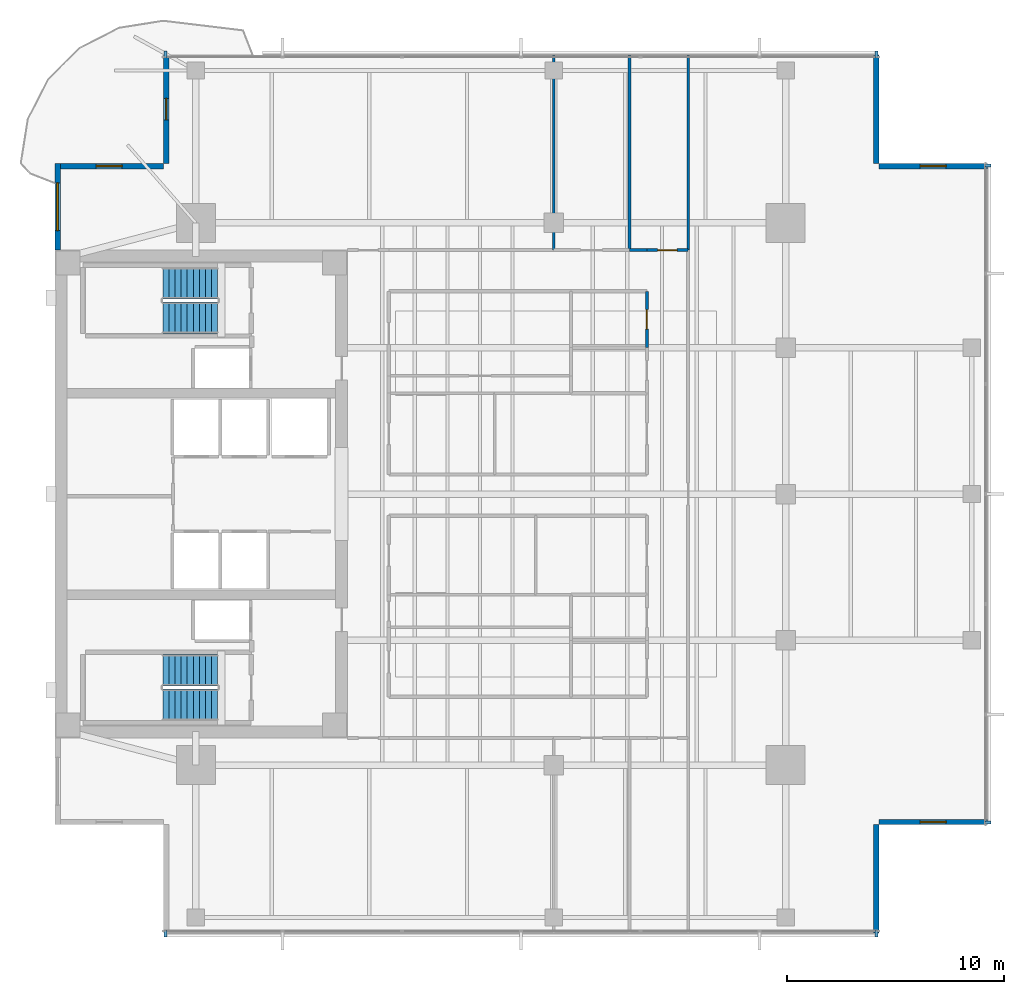
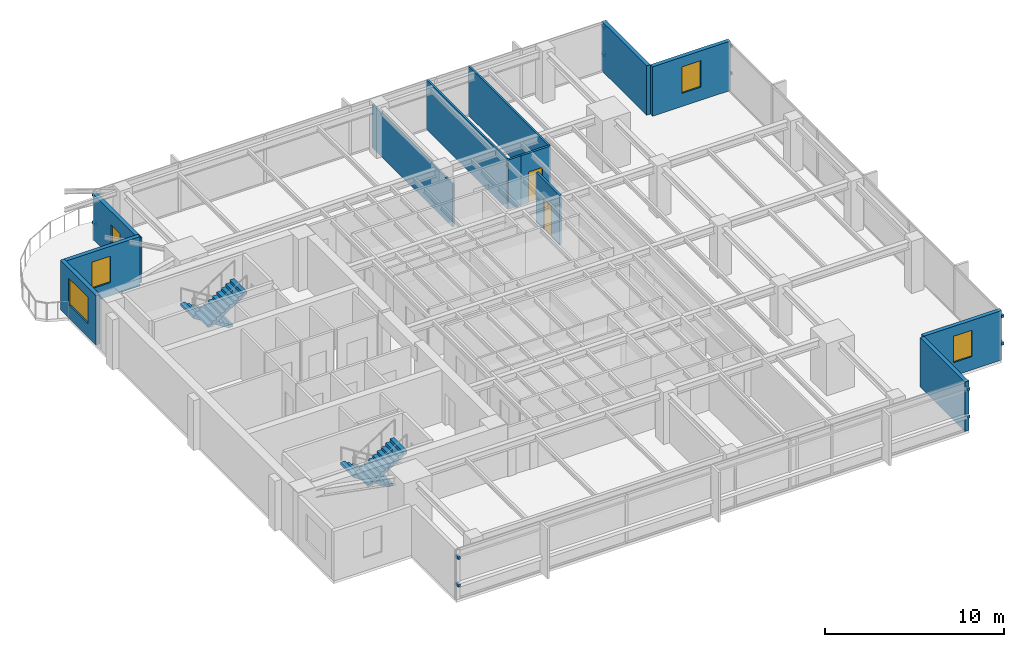
# One storey, part 10 of 14: 13 walls, 12 discrete accessories, 4 stair flights, 4 windows, 3 doors, 7 openings, 2 elements without a shape of their own.
"""IFC4 building model written with IfcOpenShell, lengths in metres."""

from ifc_helpers import new_model, si_unit, direction, frame, frame_2d, origin, origin_2d, place, context, subcontext, project, spatial, polyline, rectangle, outline, extrude, material, layer, layer_set, type_object, element, fill, aggregate, save


model = new_model("IFC4")

# Units and contexts
model_context = context("Model", 3, precision=1e-05, world=origin(), true_north=direction((0.0, 1.0)))
body_context = subcontext(model_context, "Body", "Model", "MODEL_VIEW")
ifc_project = project(units=[si_unit("LENGTHUNIT", "METRE"), si_unit("AREAUNIT", "SQUARE_METRE"), si_unit("VOLUMEUNIT", "CUBIC_METRE"), si_unit("PLANEANGLEUNIT", "RADIAN"), si_unit("MASSUNIT", "GRAM", prefix="KILO")], contexts=[model_context])

# Site, building, storey
site_placement = place(None, origin())
site = spatial("IfcSite", under=ifc_project, at=site_placement, CompositionType="ELEMENT")
building_placement = place(site_placement, origin())
building = spatial("IfcBuilding", under=site, at=building_placement, Name="Kinhvarn Gate Tower", CompositionType="ELEMENT")
storey_placement = place(building_placement, frame((0.0, 0.0, 216.449951171875)))
storey = spatial("IfcBuildingStorey", under=building, at=storey_placement, Name="L57", CompositionType="ELEMENT", Elevation=216.449951171875)

# Wall, opening, window
ifc_material_1 = material(Name="Fired architectural terracotta", Category="masonry")
ifc_layer_1 = layer(ifc_material_1, 0.25)
ifc_layer_set_1 = layer_set([ifc_layer_1], Name="Fired architectural terracotta")
wall_type_1 = type_object("IfcWallType", Name="WL-EXT-250", PredefinedType="SOLIDWALL", material=ifc_layer_set_1)
wall_1_placement = place(storey_placement, frame((4.625, 40.5, 0.0), z_axis=(0.0, 0.0, 1.0), x_axis=(0.0, -1.0, 0.0)))
wall_1 = element("IfcWall", 1, at=wall_1_placement, inside=storey, type_object=wall_type_1, Name="Exterior Solidwall Wall EW-250 (L57 West-North)", PredefinedType="SOLIDWALL", context=body_context, shape_type="SweptSolid", body=[
    extrude(rectangle(XDim=4.0, YDim=0.25, at=frame_2d((2.0, 0.0))), origin(), (0.0, 0.0, 1.0), 3.3701171875),
])
opening_1_placement = place(wall_1_placement, frame((0.89990234375, 0.0, 0.89990234375)))
opening_1 = element("IfcOpeningElement", 2, at=opening_1_placement, cuts=wall_1, Name="Opening WN-01", PredefinedType="OPENING", context=body_context, shape_type="SweptSolid", body=[
    extrude(rectangle(XDim=2.199951171875, YDim=1.800048828125, at=frame_2d((1.10009765625, 0.89990234375))), frame((0.0, 0.135009765625, 0.0), z_axis=(0.0, -1.0, 0.0), x_axis=(1.0, 0.0, 0.0)), (0.0, 0.0, 1.0), 0.27001953125),
])
ifc_material_2 = material(Name="Clear low-e double glazing", Category="glass")
window_type_1 = type_object("IfcWindowType", Name="WIN-RIB-2200", PartitioningType="SINGLE_PANEL", PredefinedType="WINDOW", material=ifc_material_2)
window_1_placement = place(opening_1_placement, origin())
window_1 = element("IfcWindow", 3, at=window_1_placement, inside=storey, type_object=window_type_1, Name="West Flank Double-Glazed Ribbon Window 2200x1800 mm (L57)", OverallHeight=1.800048828125, OverallWidth=2.199951171875, PartitioningType="SINGLE_PANEL", PredefinedType="WINDOW", context=body_context, shape_type="SweptSolid", body=[
    extrude(rectangle(XDim=2.199951171875, YDim=1.800048828125, at=frame_2d((1.10009765625, 0.89990234375))), frame((0.0, 0.030029296875, 0.0), z_axis=(0.0, -1.0, 0.0), x_axis=(1.0, 0.0, 0.0)), (0.0, 0.0, 1.0), 0.06005859375),
])
fill(opening_1, window_1)

# Wall
wall_2_placement = place(storey_placement, frame((42.375, 5.0, 0.0), z_axis=(0.0, 0.0, 1.0), x_axis=(0.0, 1.0, 0.0)))
element("IfcWall", 4, at=wall_2_placement, inside=storey, type_object=wall_type_1, Name="Exterior Solidwall Wall EW-250 (L57 SE-Notch-1)", PredefinedType="SOLIDWALL", context=body_context, shape_type="SweptSolid", body=[
    extrude(rectangle(XDim=5.0, YDim=0.25, at=frame_2d((2.5, 0.0))), origin(), (0.0, 0.0, 1.0), 3.3701171875),
])

# Wall, opening, window
wall_3_placement = place(storey_placement, frame((42.5, 10.125, 0.0), z_axis=(0.0, 0.0, 1.0), x_axis=(1.0, 0.0, 0.0)))
wall_3 = element("IfcWall", 5, at=wall_3_placement, inside=storey, type_object=wall_type_1, Name="Exterior Solidwall Wall EW-250 (L57 SE-Notch-2)", PredefinedType="SOLIDWALL", context=body_context, shape_type="SweptSolid", body=[
    extrude(rectangle(XDim=5.0, YDim=0.25, at=frame_2d((2.5, 0.0))), origin(), (0.0, 0.0, 1.0), 3.3701171875),
])
opening_2_placement = place(wall_3_placement, frame((1.89990234375, 0.0, 0.89990234375)))
opening_2 = element("IfcOpeningElement", 6, at=opening_2_placement, cuts=wall_3, Name="Opening WN-02", PredefinedType="OPENING", context=body_context, shape_type="SweptSolid", body=[
    extrude(rectangle(XDim=1.199951171875, YDim=1.800048828125, at=frame_2d((0.60009765625, 0.89990234375))), frame((0.0, 0.135009765625, 0.0), z_axis=(0.0, -1.0, 0.0), x_axis=(1.0, 0.0, 0.0)), (0.0, 0.0, 1.0), 0.27001953125),
])
window_type_2 = type_object("IfcWindowType", Name="WIN-NTC-1200", PartitioningType="SINGLE_PANEL", PredefinedType="WINDOW", material=ifc_material_2)
window_2_placement = place(opening_2_placement, origin())
window_2 = element("IfcWindow", 7, at=window_2_placement, inside=storey, type_object=window_type_2, Name="Recessed Corner Notch Punched Window 1200x1800 mm (L57)", OverallHeight=1.800048828125, OverallWidth=1.199951171875, PartitioningType="SINGLE_PANEL", PredefinedType="WINDOW", context=body_context, shape_type="SweptSolid", body=[
    extrude(rectangle(XDim=1.199951171875, YDim=1.800048828125, at=frame_2d((0.60009765625, 0.89990234375))), frame((0.0, 0.030029296875, 0.0), z_axis=(0.0, -1.0, 0.0), x_axis=(1.0, 0.0, 0.0)), (0.0, 0.0, 1.0), 0.06005859375),
])
fill(opening_2, window_2)

wall_4_placement = place(storey_placement, frame((47.5, 40.375, 0.0), z_axis=(0.0, 0.0, 1.0), x_axis=(-1.0, 0.0, 0.0)))
wall_4 = element("IfcWall", 8, at=wall_4_placement, inside=storey, type_object=wall_type_1, Name="Exterior Solidwall Wall EW-250 (L57 NE-Notch-1)", PredefinedType="SOLIDWALL", context=body_context, shape_type="SweptSolid", body=[
    extrude(rectangle(XDim=5.0, YDim=0.25, at=frame_2d((2.5, 0.0))), origin(), (0.0, 0.0, 1.0), 3.3701171875),
])
opening_3_placement = place(wall_4_placement, frame((1.89990234375, 0.0, 0.89990234375)))
opening_3 = element("IfcOpeningElement", 9, at=opening_3_placement, cuts=wall_4, Name="Opening WN-02", PredefinedType="OPENING", context=body_context, shape_type="SweptSolid", body=[
    extrude(rectangle(XDim=1.199951171875, YDim=1.800048828125, at=frame_2d((0.60009765625, 0.89990234375))), frame((0.0, 0.135009765625, 0.0), z_axis=(0.0, -1.0, 0.0), x_axis=(1.0, 0.0, 0.0)), (0.0, 0.0, 1.0), 0.27001953125),
])
window_3_placement = place(opening_3_placement, origin())
window_3 = element("IfcWindow", 10, at=window_3_placement, inside=storey, type_object=window_type_2, Name="Recessed Corner Notch Punched Window 1200x1800 mm (L57)", OverallHeight=1.800048828125, OverallWidth=1.199951171875, PartitioningType="SINGLE_PANEL", PredefinedType="WINDOW", context=body_context, shape_type="SweptSolid", body=[
    extrude(rectangle(XDim=1.199951171875, YDim=1.800048828125, at=frame_2d((0.60009765625, 0.89990234375))), frame((0.0, 0.030029296875, 0.0), z_axis=(0.0, -1.0, 0.0), x_axis=(1.0, 0.0, 0.0)), (0.0, 0.0, 1.0), 0.06005859375),
])
fill(opening_3, window_3)

# Wall
wall_5_placement = place(storey_placement, frame((42.375, 40.5, 0.0), z_axis=(0.0, 0.0, 1.0), x_axis=(0.0, 1.0, 0.0)))
element("IfcWall", 11, at=wall_5_placement, inside=storey, type_object=wall_type_1, Name="Exterior Solidwall Wall EW-250 (L57 NE-Notch-2)", PredefinedType="SOLIDWALL", context=body_context, shape_type="SweptSolid", body=[
    extrude(rectangle(XDim=5.0, YDim=0.25, at=frame_2d((2.5, 0.0))), origin(), (0.0, 0.0, 1.0), 3.3701171875),
])

# Wall, opening, door
wall_6_placement = place(storey_placement, frame((9.625, 45.5, 0.0), z_axis=(0.0, 0.0, 1.0), x_axis=(0.0, -1.0, 0.0)))
wall_6 = element("IfcWall", 12, at=wall_6_placement, inside=storey, type_object=wall_type_1, Name="Exterior Solidwall Wall EW-250 (L57 NW-Notch-Door)", PredefinedType="SOLIDWALL", context=body_context, shape_type="SweptSolid", body=[
    extrude(rectangle(XDim=5.0, YDim=0.25, at=frame_2d((2.5, 0.0))), origin(), (0.0, 0.0, 1.0), 3.10009765625),
])
opening_4_placement = place(wall_6_placement, frame((2.0, 0.0, 0.0)))
opening_4 = element("IfcOpeningElement", 13, at=opening_4_placement, cuts=wall_6, Name="Opening BD-01", PredefinedType="OPENING", context=body_context, shape_type="SweptSolid", body=[
    extrude(rectangle(XDim=1.0, YDim=2.199951171875, at=frame_2d((0.5, 1.10009765625))), frame((0.0, 0.135009765625, 0.0), z_axis=(0.0, -1.0, 0.0), x_axis=(1.0, 0.0, 0.0)), (0.0, 0.0, 1.0), 0.27001953125),
])
door_type_1 = type_object("IfcDoorType", Name="DR-BAL-1000", OperationType="NOTDEFINED", PredefinedType="DOOR", material=ifc_material_2)
door_1_placement = place(opening_4_placement, frame((1.0, 0.0, 0.0), z_axis=(0.0, 0.0, 1.0), x_axis=(-1.0, 0.0, 0.0)))
door_1 = element("IfcDoor", 14, at=door_1_placement, inside=storey, type_object=door_type_1, Name="S-Carve Balcony Door BD-01 (L57)", OperationType="SINGLE_SWING_RIGHT", OverallHeight=2.199951171875, OverallWidth=1.0, PredefinedType="DOOR", context=body_context, shape_type="SweptSolid", body=[
    extrude(rectangle(XDim=1.0, YDim=2.199951171875, at=frame_2d((0.5, 1.10009765625))), frame((0.0, 0.02490234375, 0.0), z_axis=(0.0, -1.0, 0.0), x_axis=(1.0, 0.0, 0.0)), (0.0, 0.0, 1.0), 0.050048828125),
])
fill(opening_4, door_1)

# Wall, opening, window
wall_7_placement = place(storey_placement, frame((9.5, 40.375, 0.0), z_axis=(0.0, 0.0, 1.0), x_axis=(-1.0, 0.0, 0.0)))
wall_7 = element("IfcWall", 15, at=wall_7_placement, inside=storey, type_object=wall_type_1, Name="Exterior Solidwall Wall EW-250 (L57 NW-Notch-Win)", PredefinedType="SOLIDWALL", context=body_context, shape_type="SweptSolid", body=[
    extrude(rectangle(XDim=5.0, YDim=0.25, at=frame_2d((2.5, 0.0))), origin(), (0.0, 0.0, 1.0), 3.3701171875),
])
opening_5_placement = place(wall_7_placement, frame((1.89990234375, 0.0, 0.89990234375)))
opening_5 = element("IfcOpeningElement", 16, at=opening_5_placement, cuts=wall_7, Name="Opening WN-02", PredefinedType="OPENING", context=body_context, shape_type="SweptSolid", body=[
    extrude(rectangle(XDim=1.199951171875, YDim=1.800048828125, at=frame_2d((0.60009765625, 0.89990234375))), frame((0.0, 0.135009765625, 0.0), z_axis=(0.0, -1.0, 0.0), x_axis=(1.0, 0.0, 0.0)), (0.0, 0.0, 1.0), 0.27001953125),
])
window_4_placement = place(opening_5_placement, origin())
window_4 = element("IfcWindow", 17, at=window_4_placement, inside=storey, type_object=window_type_2, Name="Recessed Corner Notch Punched Window 1200x1800 mm (L57)", OverallHeight=1.800048828125, OverallWidth=1.199951171875, PartitioningType="SINGLE_PANEL", PredefinedType="WINDOW", context=body_context, shape_type="SweptSolid", body=[
    extrude(rectangle(XDim=1.199951171875, YDim=1.800048828125, at=frame_2d((0.60009765625, 0.89990234375))), frame((0.0, 0.030029296875, 0.0), z_axis=(0.0, -1.0, 0.0), x_axis=(1.0, 0.0, 0.0)), (0.0, 0.0, 1.0), 0.06005859375),
])
fill(opening_5, window_4)

# Wall, opening, door
ifc_material_3 = material(Name="Gypsum acoustic partition board")
ifc_layer_2 = layer(ifc_material_3, 0.14990234375)
ifc_layer_set_2 = layer_set([ifc_layer_2], Name="Gypsum acoustic partition board")
wall_type_2 = type_object("IfcWallType", Name="WL-PLM-150F", PredefinedType="PLUMBINGWALL", material=ifc_layer_set_2)
wall_8_placement = place(storey_placement, frame((31.800048828125, 32.0, 0.0), z_axis=(0.0, 0.0, 1.0), x_axis=(0.0, 1.0, 0.0)))
wall_8 = element("IfcWall", 18, at=wall_8_placement, inside=storey, type_object=wall_type_2, Name="Interior Partition PLW-150F (L57)", PredefinedType="PLUMBINGWALL", context=body_context, shape_type="SweptSolid", body=[
    extrude(rectangle(XDim=2.60009765625, YDim=0.14990234375, at=frame_2d((1.300048828125, 0.0))), origin(), (0.0, 0.0, 1.0), 3.3701171875),
])
opening_6_placement = place(wall_8_placement, frame((0.85009765625, 0.0, 0.0)))
opening_6 = element("IfcOpeningElement", 19, at=opening_6_placement, cuts=wall_8, Name="Opening FD-04", PredefinedType="OPENING", context=body_context, shape_type="SweptSolid", body=[
    extrude(rectangle(XDim=0.89990234375, YDim=2.10009765625, at=frame_2d((0.449951171875, 1.050048828125))), frame((0.0, 0.0849609375, 0.0), z_axis=(0.0, -1.0, 0.0), x_axis=(1.0, 0.0, 0.0)), (0.0, 0.0, 1.0), 0.169921875),
])
ifc_material_4 = material(Name="Anodised aluminium AW-6063", Category="aluminium")
door_type_2 = type_object("IfcDoorType", Name="DR-FD-900", OperationType="NOTDEFINED", PredefinedType="DOOR", material=ifc_material_4)
door_2_placement = place(opening_6_placement, origin())
door_2 = element("IfcDoor", 20, at=door_2_placement, inside=storey, type_object=door_type_2, Name="Rated Riser & Service Closet Fire Door 900x2100 mm (L57)", OperationType="SINGLE_SWING_LEFT", OverallHeight=2.10009765625, OverallWidth=0.89990234375, PredefinedType="DOOR", context=body_context, shape_type="SweptSolid", body=[
    extrude(rectangle(XDim=0.89990234375, YDim=2.10009765625, at=frame_2d((0.449951171875, 1.050048828125))), frame((0.0, 0.02490234375, 0.0), z_axis=(0.0, -1.0, 0.0), x_axis=(1.0, 0.0, 0.0)), (0.0, 0.0, 1.0), 0.050048828125),
])
fill(opening_6, door_2)

# Walls
ifc_layer_3 = layer(ifc_material_3, 0.1201171875)
ifc_layer_set_3 = layer_set([ifc_layer_3], Name="Gypsum acoustic partition board")
wall_type_3 = type_object("IfcWallType", Name="WL-PRT-120", PredefinedType="PARTITIONING", material=ifc_layer_set_3)
wall_9_placement = place(storey_placement, frame((27.5, 36.5, 0.0), z_axis=(0.0, 0.0, 1.0), x_axis=(0.0, 1.0, 0.0)))
element("IfcWall", 21, at=wall_9_placement, inside=storey, type_object=wall_type_3, Name="Interior Partition PW-120 (L57)", PredefinedType="PARTITIONING", context=body_context, shape_type="SweptSolid", body=[
    extrude(rectangle(XDim=8.989990234375, YDim=0.1201171875, at=frame_2d((4.4951171875, 0.0))), origin(), (0.0, 0.0, 1.0), 2.920166015625),
])
for number, where, z_axis, x_axis, name in (
    (22, (31.0, 36.5, 0.0), (0.0, 0.0, 1.0), (0.0, 1.0, 0.0), "Interior Partition PW-120 (L57)"),
    (23, (33.699951171875, 36.5, 0.0), (0.0, 0.0, 1.0), (0.0, 1.0, 0.0), "Interior Partition PW-120 (L57)"),
):
    element("IfcWall", number, at=place(storey_placement, frame(where, z_axis=z_axis, x_axis=x_axis)), inside=storey, type_object=wall_type_3, Name=name, PredefinedType="PARTITIONING", context=body_context, shape_type="SweptSolid", body=[
        extrude(rectangle(XDim=8.989990234375, YDim=0.1201171875, at=frame_2d((4.4951171875, 0.0))), origin(), (0.0, 0.0, 1.0), 3.3701171875),
    ])

# Wall, opening, door
ifc_layer_4 = layer(ifc_material_3, 0.14990234375)
ifc_layer_set_4 = layer_set([ifc_layer_4], Name="Gypsum acoustic partition board")
wall_type_4 = type_object("IfcWallType", Name="WL-PRT-150F", PredefinedType="PARTITIONING", material=ifc_layer_set_4)
wall_10_placement = place(storey_placement, frame((31.800048828125, 36.5, 0.0), z_axis=(0.0, 0.0, 1.0), x_axis=(1.0, 0.0, 0.0)))
wall_10 = element("IfcWall", 24, at=wall_10_placement, inside=storey, type_object=wall_type_4, Name="Interior Partition PW-150F (L57)", PredefinedType="PARTITIONING", context=body_context, shape_type="SweptSolid", body=[
    extrude(rectangle(XDim=1.89990234375, YDim=0.14990234375, at=frame_2d((0.949951171875, 0.0))), origin(), (0.0, 0.0, 1.0), 3.3701171875),
])
opening_7_placement = place(wall_10_placement, frame((0.5, 0.0, 0.0)))
opening_7 = element("IfcOpeningElement", 25, at=opening_7_placement, cuts=wall_10, Name="Opening ID-03", PredefinedType="OPENING", context=body_context, shape_type="SweptSolid", body=[
    extrude(rectangle(XDim=0.89990234375, YDim=2.10009765625, at=frame_2d((0.449951171875, 1.050048828125))), frame((0.0, 0.0849609375, 0.0), z_axis=(0.0, -1.0, 0.0), x_axis=(1.0, 0.0, 0.0)), (0.0, 0.0, 1.0), 0.169921875),
])
door_type_3 = type_object("IfcDoorType", Name="DR-INT-900", OperationType="NOTDEFINED", PredefinedType="DOOR", material=ifc_material_4)
door_3_placement = place(opening_7_placement, origin())
door_3 = element("IfcDoor", 26, at=door_3_placement, inside=storey, type_object=door_type_3, Name="Cellular Office & Restroom Door 900x2100 mm (L57)", OperationType="SINGLE_SWING_LEFT", OverallHeight=2.10009765625, OverallWidth=0.89990234375, PredefinedType="DOOR", context=body_context, shape_type="SweptSolid", body=[
    extrude(rectangle(XDim=0.89990234375, YDim=2.10009765625, at=frame_2d((0.449951171875, 1.050048828125))), frame((0.0, 0.02490234375, 0.0), z_axis=(0.0, -1.0, 0.0), x_axis=(1.0, 0.0, 0.0)), (0.0, 0.0, 1.0), 0.050048828125),
])
fill(opening_7, door_3)

# Wall
wall_11_placement = place(storey_placement, frame((31.0, 36.5, 0.0), z_axis=(0.0, 0.0, 1.0), x_axis=(1.0, 0.0, 0.0)))
element("IfcWall", 27, at=wall_11_placement, inside=storey, type_object=wall_type_4, Name="Interior Partition PW-150F (L57)", PredefinedType="PARTITIONING", context=body_context, shape_type="SweptSolid", body=[
    extrude(rectangle(XDim=0.800048828125, YDim=0.14990234375, at=frame_2d((0.39990234375, 0.0))), origin(), (0.0, 0.0, 1.0), 3.3701171875),
])

# Stair, stair flights
ifc_material_5 = material(Name="Concrete C40/50", Category="concrete")
stair_type = type_object("IfcStairType", Name="STR-DLG-178", PredefinedType="HALF_TURN_STAIR", material=ifc_material_5)
stair_1_placement = place(storey_placement, origin())
stair_1 = element("IfcStair", 28, at=stair_1_placement, inside=storey, type_object=stair_type, Name="L57 Core Smokeproof Exit Stair ST1", PredefinedType="HALF_TURN_STAIR")
stair_flight_type = type_object("IfcStairFlightType", Name="STF-DLG-178", PredefinedType="STRAIGHT", material=ifc_material_5)
stair_flight_1_placement = place(storey_placement, frame((12.0, 17.125, 0.0), z_axis=(0.0, 0.0, 1.0), x_axis=(-1.0, 0.0, 0.0)))
stair_flight_1 = element("IfcStairFlight", 29, at=stair_flight_1_placement, type_object=stair_flight_type, Name="ST1 flight 1", NumberOfRisers=10, NumberOfTreads=9, PredefinedType="STRAIGHT", RiserHeight=0.1775, TreadLength=0.28, context=body_context, shape_type="SweptSolid", body=[
    extrude(outline(polyline([(0.0, 0.0), (0.0, 0.177490234375), (0.280029296875, 0.177490234375), (0.280029296875, 0.35498046875), (0.56005859375, 0.35498046875), (0.56005859375, 0.532470703125), (0.840087890625, 0.532470703125), (0.840087890625, 0.7099609375), (1.1201171875, 0.7099609375), (1.1201171875, 0.887451171875), (1.39990234375, 0.887451171875), (1.39990234375, 1.06494140625), (1.679931640625, 1.06494140625), (1.679931640625, 1.242431640625), (1.9599609375, 1.242431640625), (1.9599609375, 1.419921875), (2.239990234375, 1.419921875), (2.239990234375, 1.597412109375), (2.52001953125, 1.597412109375), (2.52001953125, 1.77490234375), (2.52001953125, 1.419921875), (0.280029296875, 0.0), (0.0, 0.0)])), frame((0.0, 0.72509765625, 0.0), z_axis=(0.0, -1.0, 0.0), x_axis=(1.0, 0.0, 0.0)), (0.0, 0.0, 1.0), 1.449951171875),
])
stair_flight_2_placement = place(storey_placement, frame((9.47998046875, 15.52490234375, 1.775146484375), z_axis=(0.0, 0.0, 1.0), x_axis=(1.0, 0.0, 0.0)))
stair_flight_2 = element("IfcStairFlight", 30, at=stair_flight_2_placement, type_object=stair_flight_type, Name="ST1 flight 2", NumberOfRisers=10, NumberOfTreads=9, PredefinedType="STRAIGHT", RiserHeight=0.1775, TreadLength=0.28, context=body_context, shape_type="SweptSolid", body=[
    extrude(outline(polyline([(0.0, 0.0), (0.0, 0.177490234375), (0.280029296875, 0.177490234375), (0.280029296875, 0.35498046875), (0.56005859375, 0.35498046875), (0.56005859375, 0.532470703125), (0.840087890625, 0.532470703125), (0.840087890625, 0.7099609375), (1.1201171875, 0.7099609375), (1.1201171875, 0.887451171875), (1.39990234375, 0.887451171875), (1.39990234375, 1.06494140625), (1.679931640625, 1.06494140625), (1.679931640625, 1.242431640625), (1.9599609375, 1.242431640625), (1.9599609375, 1.419921875), (2.239990234375, 1.419921875), (2.239990234375, 1.597412109375), (2.52001953125, 1.597412109375), (2.52001953125, 1.77490234375), (2.52001953125, 1.419921875), (0.280029296875, 0.0), (0.0, 0.0)])), frame((0.0, 0.72509765625, 0.0), z_axis=(0.0, -1.0, 0.0), x_axis=(1.0, 0.0, 0.0)), (0.0, 0.0, 1.0), 1.449951171875),
])
aggregate(stair_1, [stair_flight_1, stair_flight_2])

stair_2_placement = place(storey_placement, origin())
stair_2 = element("IfcStair", 31, at=stair_2_placement, inside=storey, type_object=stair_type, Name="L57 Core Smokeproof Exit Stair ST2", PredefinedType="HALF_TURN_STAIR")
stair_flight_3_placement = place(storey_placement, frame((12.0, 34.97509765625, 0.0), z_axis=(0.0, 0.0, 1.0), x_axis=(-1.0, 0.0, 0.0)))
stair_flight_3 = element("IfcStairFlight", 32, at=stair_flight_3_placement, type_object=stair_flight_type, Name="ST2 flight 1", NumberOfRisers=10, NumberOfTreads=9, PredefinedType="STRAIGHT", RiserHeight=0.1775, TreadLength=0.28, context=body_context, shape_type="SweptSolid", body=[
    extrude(outline(polyline([(0.0, 0.0), (0.0, 0.177490234375), (0.280029296875, 0.177490234375), (0.280029296875, 0.35498046875), (0.56005859375, 0.35498046875), (0.56005859375, 0.532470703125), (0.840087890625, 0.532470703125), (0.840087890625, 0.7099609375), (1.1201171875, 0.7099609375), (1.1201171875, 0.887451171875), (1.39990234375, 0.887451171875), (1.39990234375, 1.06494140625), (1.679931640625, 1.06494140625), (1.679931640625, 1.242431640625), (1.9599609375, 1.242431640625), (1.9599609375, 1.419921875), (2.239990234375, 1.419921875), (2.239990234375, 1.597412109375), (2.52001953125, 1.597412109375), (2.52001953125, 1.77490234375), (2.52001953125, 1.419921875), (0.280029296875, 0.0), (0.0, 0.0)])), frame((0.0, 0.72509765625, 0.0), z_axis=(0.0, -1.0, 0.0), x_axis=(1.0, 0.0, 0.0)), (0.0, 0.0, 1.0), 1.449951171875),
])
stair_flight_4_placement = place(storey_placement, frame((9.47998046875, 33.375, 1.775146484375), z_axis=(0.0, 0.0, 1.0), x_axis=(1.0, 0.0, 0.0)))
stair_flight_4 = element("IfcStairFlight", 33, at=stair_flight_4_placement, type_object=stair_flight_type, Name="ST2 flight 2", NumberOfRisers=10, NumberOfTreads=9, PredefinedType="STRAIGHT", RiserHeight=0.1775, TreadLength=0.28, context=body_context, shape_type="SweptSolid", body=[
    extrude(outline(polyline([(0.0, 0.0), (0.0, 0.177490234375), (0.280029296875, 0.177490234375), (0.280029296875, 0.35498046875), (0.56005859375, 0.35498046875), (0.56005859375, 0.532470703125), (0.840087890625, 0.532470703125), (0.840087890625, 0.7099609375), (1.1201171875, 0.7099609375), (1.1201171875, 0.887451171875), (1.39990234375, 0.887451171875), (1.39990234375, 1.06494140625), (1.679931640625, 1.06494140625), (1.679931640625, 1.242431640625), (1.9599609375, 1.242431640625), (1.9599609375, 1.419921875), (2.239990234375, 1.419921875), (2.239990234375, 1.597412109375), (2.52001953125, 1.597412109375), (2.52001953125, 1.77490234375), (2.52001953125, 1.419921875), (0.280029296875, 0.0), (0.0, 0.0)])), frame((0.0, 0.72509765625, 0.0), z_axis=(0.0, -1.0, 0.0), x_axis=(1.0, 0.0, 0.0)), (0.0, 0.0, 1.0), 1.449951171875),
])
aggregate(stair_2, [stair_flight_3, stair_flight_4])

# Discrete accessories
discrete_accessory_type = type_object("IfcDiscreteAccessoryType", Name="ACC-BRK-01", PredefinedType="BRACKET", material=ifc_material_4)
for number, where, z_axis, x_axis, name in (
    (34, (9.60009765625, 4.969970703125, 0.9599609375), (0.0, 0.0, 1.0), (1.0, 0.0, 0.0), "Baguette Support Bracket BK-01 (L57)"),
    (35, (9.60009765625, 4.969970703125, 2.830078125), (0.0, 0.0, 1.0), (1.0, 0.0, 0.0), "Baguette Support Bracket BK-01 (L57)"),
    (36, (42.39990234375, 4.969970703125, 0.9599609375), (0.0, 0.0, 1.0), (1.0, 0.0, 0.0), "Baguette Support Bracket BK-01 (L57)"),
    (37, (42.39990234375, 4.969970703125, 2.830078125), (0.0, 0.0, 1.0), (1.0, 0.0, 0.0), "Baguette Support Bracket BK-01 (L57)"),
    (38, (42.39990234375, 45.530029296875, 0.9599609375), (0.0, 0.0, 1.0), (-1.0, 0.0, 0.0), "Baguette Support Bracket BK-01 (L57)"),
    (39, (42.39990234375, 45.530029296875, 2.830078125), (0.0, 0.0, 1.0), (-1.0, 0.0, 0.0), "Baguette Support Bracket BK-01 (L57)"),
    (40, (9.60009765625, 45.530029296875, 0.9599609375), (0.0, 0.0, 1.0), (-1.0, 0.0, 0.0), "Baguette Support Bracket BK-01 (L57)"),
    (41, (9.60009765625, 45.530029296875, 2.830078125), (0.0, 0.0, 1.0), (-1.0, 0.0, 0.0), "Baguette Support Bracket BK-01 (L57)"),
    (42, (47.530029296875, 10.10009765625, 0.9599609375), (0.0, 0.0, 1.0), (0.0, 1.0, 0.0), "Baguette Support Bracket BK-01 (L57)"),
    (43, (47.530029296875, 10.10009765625, 2.830078125), (0.0, 0.0, 1.0), (0.0, 1.0, 0.0), "Baguette Support Bracket BK-01 (L57)"),
    (44, (47.530029296875, 40.39990234375, 0.9599609375), (0.0, 0.0, 1.0), (0.0, 1.0, 0.0), "Baguette Support Bracket BK-01 (L57)"),
    (45, (47.530029296875, 40.39990234375, 2.830078125), (0.0, 0.0, 1.0), (0.0, 1.0, 0.0), "Baguette Support Bracket BK-01 (L57)"),
):
    element("IfcDiscreteAccessory", number, at=place(storey_placement, frame(where, z_axis=z_axis, x_axis=x_axis)), inside=storey, type_object=discrete_accessory_type, Name=name, PredefinedType="BRACKET", context=body_context, shape_type="SweptSolid", body=[
        extrude(rectangle(XDim=0.139892578125, YDim=0.280029296875, at=origin_2d()), origin(), (0.0, 0.0, 1.0), 0.179931640625),
    ])

save(model, "model.ifc")
